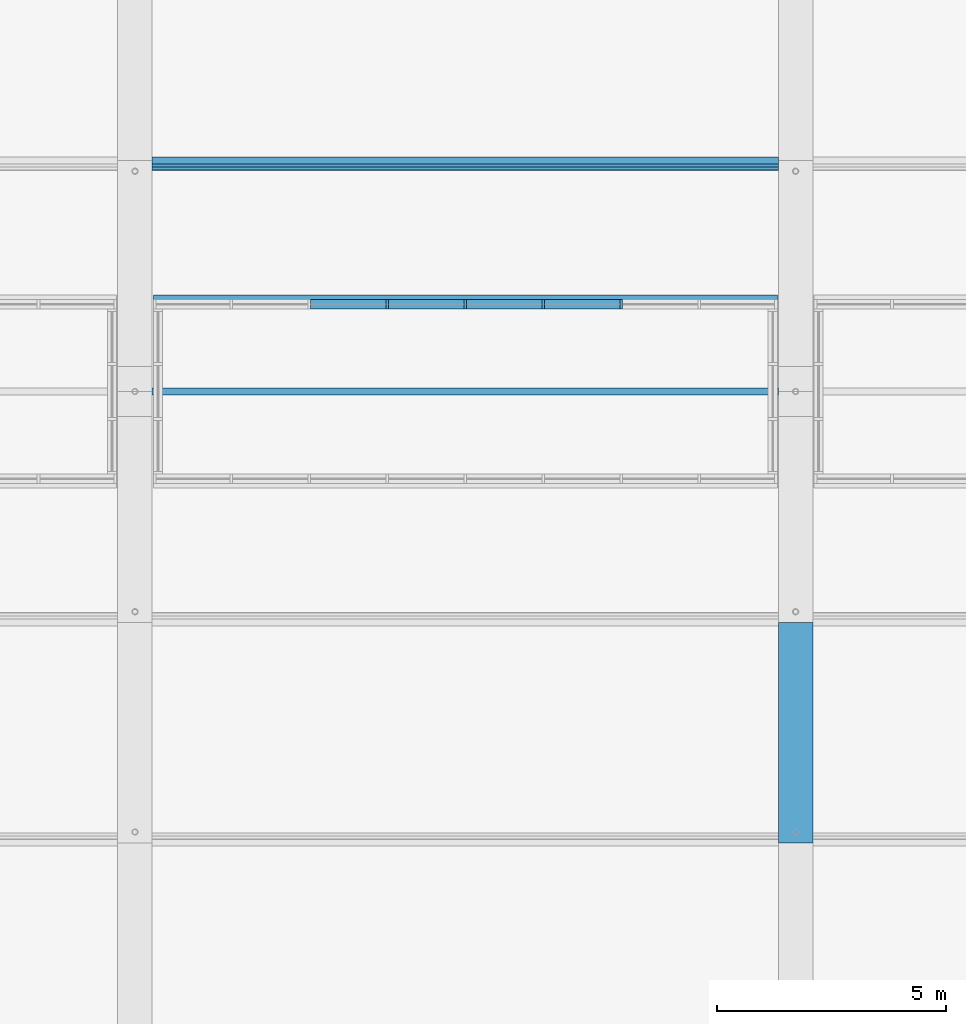
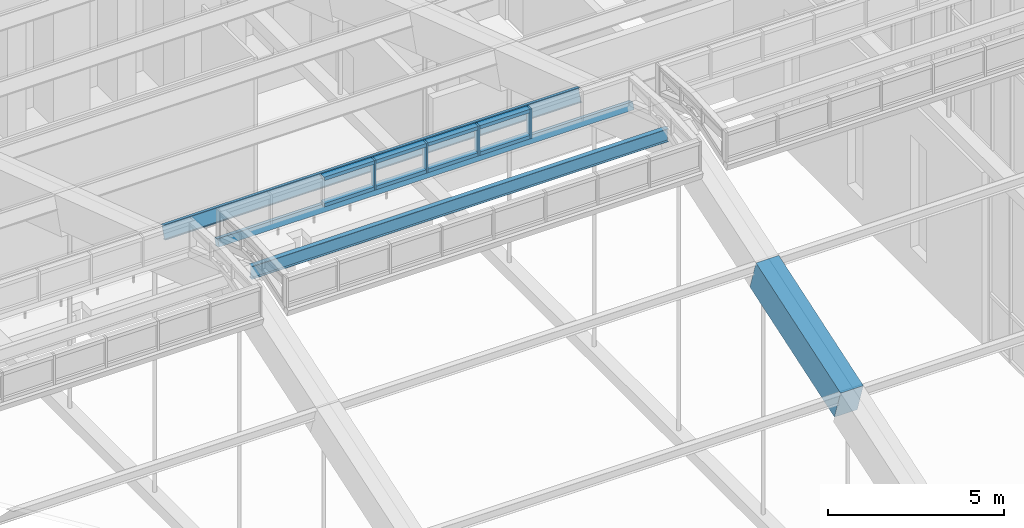
# One storey, part 74 of 149: 15 members, 1 beam, 1 element without a shape of its own.
"""IFC4 building model written with IfcOpenShell, lengths in metres."""

from ifc_helpers import new_model, si_unit, direction, frame, origin, origin_2d, place, context, subcontext, project, spatial, rectangle, i_section, extrude, material, material_profile, profile_set, type_object, element, aggregate, save


model = new_model("IFC4")

# Units and contexts
model_context = context("Model", 3, precision=1e-05, world=origin(), true_north=direction((0.0, 1.0)))
body_context = subcontext(model_context, "Body", "Model", "MODEL_VIEW")
ifc_project = project(units=[si_unit("LENGTHUNIT", "METRE"), si_unit("AREAUNIT", "SQUARE_METRE"), si_unit("VOLUMEUNIT", "CUBIC_METRE"), si_unit("PLANEANGLEUNIT", "RADIAN"), si_unit("MASSUNIT", "GRAM", prefix="KILO")], contexts=[model_context])

# Site, building, storey
site_placement = place(None, origin())
site = spatial("IfcSite", under=ifc_project, at=site_placement, CompositionType="ELEMENT")
building_placement = place(site_placement, origin())
building = spatial("IfcBuilding", under=site, at=building_placement, Name="Alderwick Market Hall", CompositionType="ELEMENT")
storey_placement = place(building_placement, frame((0.0, 0.0, 9.60009765625)))
storey = spatial("IfcBuildingStorey", under=building, at=storey_placement, Name="L01", CompositionType="ELEMENT", Elevation=9.60009765625)

# Beam
ifc_material_1 = material(Name="Concrete 5000 psi (f'c 35 MPa)", Category="concrete")
ifc_material_profile_1 = material_profile(ifc_material_1, rectangle(XDim=0.75, YDim=1.10009765625, at=origin_2d()), Name="RC 750x1100")
ifc_profile_set_1 = profile_set([ifc_material_profile_1], Name="Concrete 5000 psi (f'c 35 MPa)")
beam_type = type_object("IfcBeamType", Name="R Arch Rib Crown 750x1100", PredefinedType="BEAM", material=ifc_profile_set_1)
beam_placement = place(storey_placement, frame((136.800048828125, 69.536865234375, 13.189697265625), z_axis=(0.0, 0.948688123414, 0.316213289559), x_axis=(-1.0, 0.0, 0.0)))
element("IfcBeam", 1, at=beam_placement, inside=storey, type_object=beam_type, Name="Arch rib 7 chord 5", PredefinedType="BEAM", context=body_context, shape_type="SweptSolid", body=[
    extrude(rectangle(XDim=0.75, YDim=1.10009765625, at=origin_2d()), origin(), (0.0, 0.0, 1.0), 5.059326171875),
])

# Curtain wall, members
ifc_material_2 = material(Name="Aluminium", Category="aluminium")
curtain_wall_type = type_object("IfcCurtainWallType", Name="R Curtain Wall Frame", PredefinedType="NOTDEFINED", material=ifc_material_2)
curtain_wall_placement = place(storey_placement, origin())
curtain_wall = element("IfcCurtainWall", 2, at=curtain_wall_placement, inside=storey, type_object=curtain_wall_type, Name="Curtain wall LCW N6", PredefinedType="NOTDEFINED")
ifc_material_profile_2 = material_profile(ifc_material_2, rectangle(XDim=0.199951171875, YDim=0.06005859375, at=origin_2d()), Name="AL 60x200")
ifc_profile_set_2 = profile_set([ifc_material_profile_2], Name="Aluminium")
member_type_1 = type_object("IfcMemberType", Name="R CW Mullion 60x200", PredefinedType="MULLION", material=ifc_profile_set_2)
member_1_placement = place(storey_placement, frame((127.89990234375, 81.10009765625, 16.670166015625), z_axis=(0.0, 0.0, 1.0), x_axis=(0.0, 1.0, 0.0)))
member_1 = element("IfcMember", 3, at=member_1_placement, type_object=member_type_1, Name="LCW N6 mullion 4", PredefinedType="MULLION", context=body_context, shape_type="SweptSolid", body=[
    extrude(rectangle(XDim=0.199951171875, YDim=0.06005859375, at=origin_2d()), origin(), (0.0, 0.0, 1.0), 1.02978515625),
])
member_2_placement = place(storey_placement, frame((129.60009765625, 81.10009765625, 16.670166015625), z_axis=(0.0, 0.0, 1.0), x_axis=(0.0, 1.0, 0.0)))
member_2 = element("IfcMember", 4, at=member_2_placement, type_object=member_type_1, Name="LCW N6 mullion 5", PredefinedType="MULLION", context=body_context, shape_type="SweptSolid", body=[
    extrude(rectangle(XDim=0.199951171875, YDim=0.06005859375, at=origin_2d()), origin(), (0.0, 0.0, 1.0), 1.02978515625),
])
member_3_placement = place(storey_placement, frame((131.300048828125, 81.10009765625, 16.670166015625), z_axis=(0.0, 0.0, 1.0), x_axis=(0.0, 1.0, 0.0)))
member_3 = element("IfcMember", 5, at=member_3_placement, type_object=member_type_1, Name="LCW N6 mullion 6", PredefinedType="MULLION", context=body_context, shape_type="SweptSolid", body=[
    extrude(rectangle(XDim=0.199951171875, YDim=0.06005859375, at=origin_2d()), origin(), (0.0, 0.0, 1.0), 1.02978515625),
])
member_4_placement = place(storey_placement, frame((133.0, 81.10009765625, 16.670166015625), z_axis=(0.0, 0.0, 1.0), x_axis=(0.0, 1.0, 0.0)))
member_4 = element("IfcMember", 6, at=member_4_placement, type_object=member_type_1, Name="LCW N6 mullion 7", PredefinedType="MULLION", context=body_context, shape_type="SweptSolid", body=[
    extrude(rectangle(XDim=0.199951171875, YDim=0.06005859375, at=origin_2d()), origin(), (0.0, 0.0, 1.0), 1.02978515625),
])
ifc_material_profile_3 = material_profile(ifc_material_2, rectangle(XDim=0.199951171875, YDim=0.1201171875, at=origin_2d()), Name="AL 120x200")
ifc_profile_set_3 = profile_set([ifc_material_profile_3], Name="Aluminium")
member_type_2 = type_object("IfcMemberType", Name="R CW Transom 120x200", PredefinedType="USERDEFINED", material=ifc_profile_set_3)
member_5_placement = place(storey_placement, frame((126.22998046875, 81.10009765625, 16.730224609375), z_axis=(1.0, 0.0, 0.0), x_axis=(0.0, 1.0, 0.0)))
member_5 = element("IfcMember", 7, at=member_5_placement, type_object=member_type_2, Name="LCW N6 sill transom 3", ObjectType="TRANSOM", PredefinedType="USERDEFINED", context=body_context, shape_type="SweptSolid", body=[
    extrude(rectangle(XDim=0.199951171875, YDim=0.1201171875, at=origin_2d()), origin(), (0.0, 0.0, 1.0), 1.64013671875),
])
member_6_placement = place(storey_placement, frame((126.22998046875, 81.10009765625, 17.639892578125), z_axis=(1.0, 0.0, 0.0), x_axis=(0.0, 1.0, 0.0)))
member_6 = element("IfcMember", 8, at=member_6_placement, type_object=member_type_2, Name="LCW N6 head transom 3", ObjectType="TRANSOM", PredefinedType="USERDEFINED", context=body_context, shape_type="SweptSolid", body=[
    extrude(rectangle(XDim=0.199951171875, YDim=0.1201171875, at=origin_2d()), origin(), (0.0, 0.0, 1.0), 1.64013671875),
])
member_7_placement = place(storey_placement, frame((127.929931640625, 81.10009765625, 16.730224609375), z_axis=(1.0, 0.0, 0.0), x_axis=(0.0, 1.0, 0.0)))
member_7 = element("IfcMember", 9, at=member_7_placement, type_object=member_type_2, Name="LCW N6 sill transom 4", ObjectType="TRANSOM", PredefinedType="USERDEFINED", context=body_context, shape_type="SweptSolid", body=[
    extrude(rectangle(XDim=0.199951171875, YDim=0.1201171875, at=origin_2d()), origin(), (0.0, 0.0, 1.0), 1.64013671875),
])
member_8_placement = place(storey_placement, frame((127.929931640625, 81.10009765625, 17.639892578125), z_axis=(1.0, 0.0, 0.0), x_axis=(0.0, 1.0, 0.0)))
member_8 = element("IfcMember", 10, at=member_8_placement, type_object=member_type_2, Name="LCW N6 head transom 4", ObjectType="TRANSOM", PredefinedType="USERDEFINED", context=body_context, shape_type="SweptSolid", body=[
    extrude(rectangle(XDim=0.199951171875, YDim=0.1201171875, at=origin_2d()), origin(), (0.0, 0.0, 1.0), 1.64013671875),
])
member_9_placement = place(storey_placement, frame((129.6298828125, 81.10009765625, 16.730224609375), z_axis=(1.0, 0.0, 0.0), x_axis=(0.0, 1.0, 0.0)))
member_9 = element("IfcMember", 11, at=member_9_placement, type_object=member_type_2, Name="LCW N6 sill transom 5", ObjectType="TRANSOM", PredefinedType="USERDEFINED", context=body_context, shape_type="SweptSolid", body=[
    extrude(rectangle(XDim=0.199951171875, YDim=0.1201171875, at=origin_2d()), origin(), (0.0, 0.0, 1.0), 1.64013671875),
])
member_10_placement = place(storey_placement, frame((129.6298828125, 81.10009765625, 17.639892578125), z_axis=(1.0, 0.0, 0.0), x_axis=(0.0, 1.0, 0.0)))
member_10 = element("IfcMember", 12, at=member_10_placement, type_object=member_type_2, Name="LCW N6 head transom 5", ObjectType="TRANSOM", PredefinedType="USERDEFINED", context=body_context, shape_type="SweptSolid", body=[
    extrude(rectangle(XDim=0.199951171875, YDim=0.1201171875, at=origin_2d()), origin(), (0.0, 0.0, 1.0), 1.64013671875),
])
member_11_placement = place(storey_placement, frame((131.330078125, 81.10009765625, 16.730224609375), z_axis=(1.0, 0.0, 0.0), x_axis=(0.0, 1.0, 0.0)))
member_11 = element("IfcMember", 13, at=member_11_placement, type_object=member_type_2, Name="LCW N6 sill transom 6", ObjectType="TRANSOM", PredefinedType="USERDEFINED", context=body_context, shape_type="SweptSolid", body=[
    extrude(rectangle(XDim=0.199951171875, YDim=0.1201171875, at=origin_2d()), origin(), (0.0, 0.0, 1.0), 1.639892578125),
])
member_12_placement = place(storey_placement, frame((131.330078125, 81.10009765625, 17.639892578125), z_axis=(1.0, 0.0, 0.0), x_axis=(0.0, 1.0, 0.0)))
member_12 = element("IfcMember", 14, at=member_12_placement, type_object=member_type_2, Name="LCW N6 head transom 6", ObjectType="TRANSOM", PredefinedType="USERDEFINED", context=body_context, shape_type="SweptSolid", body=[
    extrude(rectangle(XDim=0.199951171875, YDim=0.1201171875, at=origin_2d()), origin(), (0.0, 0.0, 1.0), 1.639892578125),
])
ifc_material_3 = material(Name="Steel ASTM A572 Grade 50", Category="steel")
ifc_material_profile_4 = material_profile(ifc_material_3, rectangle(XDim=0.199951171875, YDim=0.25, at=origin_2d()), Name="Steel plate curb 200x250")
ifc_profile_set_4 = profile_set([ifc_material_profile_4], Name="Steel ASTM A572 Grade 50")
member_type_3 = type_object("IfcMemberType", Name="R Lantern Curb 200x250", PredefinedType="MEMBER", material=ifc_profile_set_4)
member_13_placement = place(storey_placement, frame((122.800048828125, 81.164794921875, 16.551513671875), z_axis=(1.0, 0.0, 0.0), x_axis=(0.0, 0.948683297073, -0.316227768949)))
member_13 = element("IfcMember", 15, at=member_13_placement, type_object=member_type_3, Name="Lantern curb N6", PredefinedType="MEMBER", context=body_context, shape_type="SweptSolid", body=[
    extrude(rectangle(XDim=0.199951171875, YDim=0.25, at=origin_2d()), origin(), (0.0, 0.0, 1.0), 13.599853515625),
])
aggregate(curtain_wall, [member_1, member_2, member_3, member_4, member_5, member_6, member_7, member_8, member_9, member_10, member_11, member_12, member_13])

# Members
ifc_material_4 = material(Name="Steel ASTM A992 Grade 50", Category="steel")
ifc_material_profile_5 = material_profile(ifc_material_4, i_section(OverallWidth=0.153076171875, OverallDepth=0.455078125, WebThickness=0.008056640625, FlangeThickness=0.01318359375, at=origin_2d()), Name="W18x40")
ifc_profile_set_5 = profile_set([ifc_material_profile_5], Name="Steel ASTM A992 Grade 50")
member_type_4 = type_object("IfcMemberType", Name="R Purlin W18x40", PredefinedType="PURLIN", material=ifc_profile_set_5)
for number, where, z_axis, x_axis, name in (
    (16, (122.77490234375, 79.199951171875, 16.7314453125), (1.0, 0.0, 0.0), (0.0, 1.0, 0.0), "Roof purlin 7.6"),
    (17, (122.77490234375, 84.163330078125, 15.08984375), (1.0, 0.0, 0.0), (0.0, 0.948683297073, -0.316227768949), "Roof purlin 8.6"),
):
    element("IfcMember", number, at=place(storey_placement, frame(where, z_axis=z_axis, x_axis=x_axis)), inside=storey, type_object=member_type_4, Name=name, PredefinedType="PURLIN", context=body_context, shape_type="SweptSolid", body=[
        extrude(i_section(OverallWidth=0.153076171875, OverallDepth=0.455078125, WebThickness=0.008056640625, FlangeThickness=0.01318359375, at=origin_2d()), origin(), (0.0, 0.0, 1.0), 13.650146484375),
    ])

save(model, "model.ifc")
